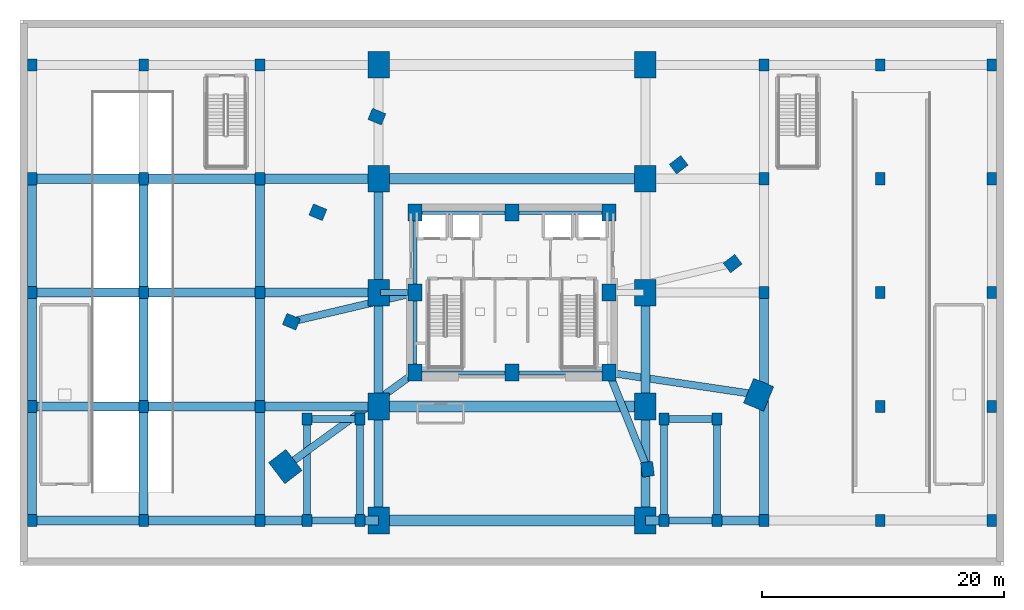
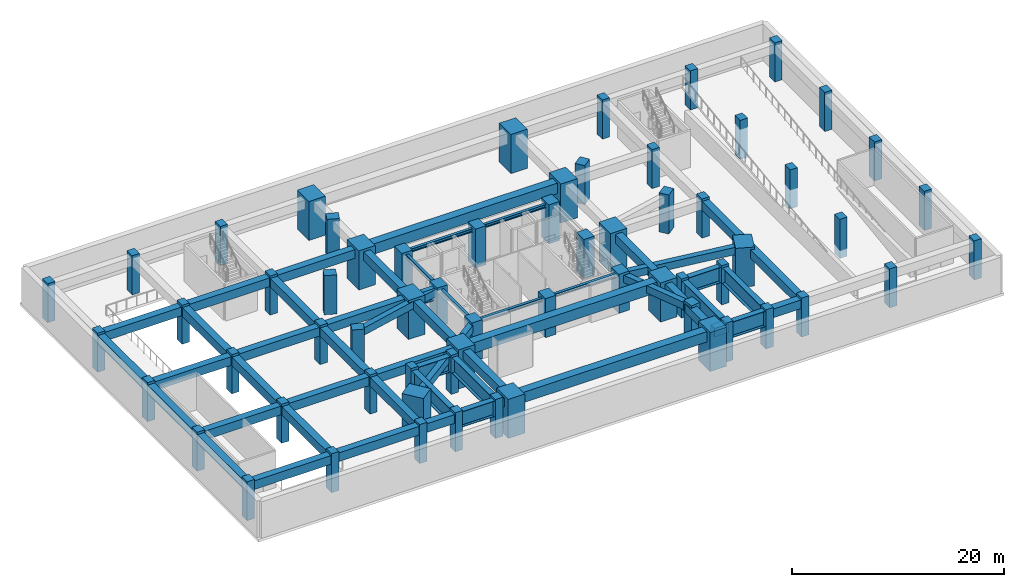
# One storey, part 1 of 9: 63 columns, 52 beams.
"""IFC4 building model written with IfcOpenShell, lengths in metres."""

from ifc_helpers import new_model, si_unit, direction, frame, origin, origin_2d, place, context, subcontext, project, spatial, rectangle, i_section, extrude, material, material_profile, profile_set, type_object, element, save


model = new_model("IFC4")

# Units and contexts
model_context = context("Model", 3, precision=1e-05, world=origin(), true_north=direction((0.0, 1.0)))
body_context = subcontext(model_context, "Body", "Model", "MODEL_VIEW")
ifc_project = project(units=[si_unit("LENGTHUNIT", "METRE"), si_unit("AREAUNIT", "SQUARE_METRE"), si_unit("VOLUMEUNIT", "CUBIC_METRE"), si_unit("PLANEANGLEUNIT", "RADIAN"), si_unit("MASSUNIT", "GRAM", prefix="KILO")], contexts=[model_context])

# Site, building, storey
site_placement = place(None, origin())
site = spatial("IfcSite", under=ifc_project, at=site_placement, CompositionType="ELEMENT")
building_placement = place(site_placement, origin())
building = spatial("IfcBuilding", under=site, at=building_placement, Name="Ndelora Gate Hotel", CompositionType="ELEMENT")
storey_placement = place(building_placement, frame((0.0, 0.0, -4.5)))
storey = spatial("IfcBuildingStorey", under=building, at=storey_placement, Name="B01", CompositionType="ELEMENT", Elevation=-4.5)

# Columns
ifc_material_1 = material(Name="Concrete C60/75", Category="concrete")
ifc_material_profile_1 = material_profile(ifc_material_1, rectangle(XDim=1.800048828125, YDim=2.199951171875, at=origin_2d()), Name="RC 2200x1800")
ifc_profile_set_1 = profile_set([ifc_material_profile_1], Name="Concrete C60/75")
column_type_1 = type_object("IfcColumnType", Name="COL-ARCH-PIER", PredefinedType="COLUMN", material=ifc_profile_set_1)
for number, where, z_axis, x_axis, name in (
    (1, (-11.0, -18.800048828125, 0.0), (0.0, 0.0, 1.0), (1.0, 0.0, 0.0), "B01 Podium Column PC-04-01"),
    (2, (-11.0, -9.39990234375, 0.0), (0.0, 0.0, 1.0), (1.0, 0.0, 0.0), "B01 Podium Column PC-04-02"),
    (3, (-11.0, 0.0, 0.0), (0.0, 0.0, 1.0), (1.0, 0.0, 0.0), "B01 Podium Column PC-04-03"),
    (4, (-11.0, 9.39990234375, 0.0), (0.0, 0.0, 1.0), (1.0, 0.0, 0.0), "B01 Podium Column PC-04-04"),
    (5, (-11.0, 18.800048828125, 0.0), (0.0, 0.0, 1.0), (1.0, 0.0, 0.0), "B01 Podium Column PC-04-05"),
    (6, (11.0, -18.800048828125, 0.0), (0.0, 0.0, 1.0), (1.0, 0.0, 0.0), "B01 Podium Column PC-05-01"),
    (7, (11.0, -9.39990234375, 0.0), (0.0, 0.0, 1.0), (1.0, 0.0, 0.0), "B01 Podium Column PC-05-02"),
    (8, (11.0, 0.0, 0.0), (0.0, 0.0, 1.0), (1.0, 0.0, 0.0), "B01 Podium Column PC-05-03"),
    (9, (11.0, 9.39990234375, 0.0), (0.0, 0.0, 1.0), (1.0, 0.0, 0.0), "B01 Podium Column PC-05-04"),
    (10, (11.0, 18.800048828125, 0.0), (0.0, 0.0, 1.0), (1.0, 0.0, 0.0), "B01 Podium Column PC-05-05"),
):
    element("IfcColumn", number, at=place(storey_placement, frame(where, z_axis=z_axis, x_axis=x_axis)), inside=storey, type_object=column_type_1, Name=name, PredefinedType="COLUMN", context=body_context, shape_type="SweptSolid", body=[
        extrude(rectangle(XDim=1.800048828125, YDim=2.199951171875, at=origin_2d()), origin(), (0.0, 0.0, 1.0), 4.5),
    ])
ifc_material_profile_2 = material_profile(ifc_material_1, rectangle(XDim=1.14990234375, YDim=1.39990234375, at=origin_2d()), Name="RC 1400x1150")
ifc_profile_set_2 = profile_set([ifc_material_profile_2], Name="Concrete C60/75")
column_type_2 = type_object("IfcColumnType", Name="COL-CC-LOW", PredefinedType="COLUMN", material=ifc_profile_set_2)
for number, where, z_axis, x_axis, name in (
    (11, (-8.0, -6.60009765625, 0.0), (0.0, 0.0, 1.0), (1.0, 0.0, 0.0), "B01 Core Column CC1"),
    (12, (0.0, -6.60009765625, 0.0), (0.0, 0.0, 1.0), (1.0, 0.0, 0.0), "B01 Core Column CC2"),
    (13, (8.0, -6.60009765625, 0.0), (0.0, 0.0, 1.0), (1.0, 0.0, 0.0), "B01 Core Column CC3"),
    (14, (8.0, 0.0, 0.0), (0.0, 0.0, 1.0), (1.0, 0.0, 0.0), "B01 Core Column CC4"),
    (15, (8.0, 6.60009765625, 0.0), (0.0, 0.0, 1.0), (1.0, 0.0, 0.0), "B01 Core Column CC5"),
    (16, (0.0, 6.60009765625, 0.0), (0.0, 0.0, 1.0), (1.0, 0.0, 0.0), "B01 Core Column CC6"),
    (17, (-8.0, 6.60009765625, 0.0), (0.0, 0.0, 1.0), (1.0, 0.0, 0.0), "B01 Core Column CC7"),
    (18, (-8.0, 0.0, 0.0), (0.0, 0.0, 1.0), (1.0, 0.0, 0.0), "B01 Core Column CC8"),
):
    element("IfcColumn", number, at=place(storey_placement, frame(where, z_axis=z_axis, x_axis=x_axis)), inside=storey, type_object=column_type_2, Name=name, PredefinedType="COLUMN", context=body_context, shape_type="SweptSolid", body=[
        extrude(rectangle(XDim=1.14990234375, YDim=1.39990234375, at=origin_2d()), origin(), (0.0, 0.0, 1.0), 4.5),
    ])
ifc_material_profile_3 = material_profile(ifc_material_1, rectangle(XDim=1.800048828125, YDim=2.199951171875, at=origin_2d()), Name="RC 2200x1800")
ifc_profile_set_3 = profile_set([ifc_material_profile_3], Name="Concrete C60/75")
column_type_3 = type_object("IfcColumnType", Name="COL-MC-Z1", PredefinedType="COLUMN", material=ifc_profile_set_3)
for number, where, z_axis, x_axis, name in (
    (19, (-18.701904296875, -14.3505859375, 0.0), (0.0, 0.0, 1.0), (0.793353340291, 0.608761429009, 0.0), "B01 Tower Plumb Root Column R5"),
    (20, (20.35009765625, -8.42919921875, 0.0), (0.0, 0.0, 1.0), (-0.923879532511, 0.382683432365, 0.0), "B01 Tower Plumb Root Column R9"),
):
    element("IfcColumn", number, at=place(storey_placement, frame(where, z_axis=z_axis, x_axis=x_axis)), inside=storey, type_object=column_type_3, Name=name, PredefinedType="COLUMN", context=body_context, shape_type="SweptSolid", body=[
        extrude(rectangle(XDim=1.800048828125, YDim=2.199951171875, at=origin_2d()), origin(), (0.0, 0.0, 1.0), 4.5),
    ])
ifc_material_2 = material(Name="Concrete C50/60", Category="concrete")
ifc_material_profile_4 = material_profile(ifc_material_2, rectangle(XDim=0.800048828125, YDim=1.0, at=origin_2d()), Name="RC 1000x800")
ifc_profile_set_4 = profile_set([ifc_material_profile_4], Name="Concrete C50/60")
column_type_4 = type_object("IfcColumnType", Name="COL-POD-BSM", PredefinedType="COLUMN", material=ifc_profile_set_4)
for number, where, z_axis, x_axis, name in (
    (21, (-39.60009765625, -18.800048828125, 0.0), (0.0, 0.0, 1.0), (1.0, 0.0, 0.0), "B01 Podium Column PC-01-01"),
    (22, (-39.60009765625, -9.39990234375, 0.0), (0.0, 0.0, 1.0), (1.0, 0.0, 0.0), "B01 Podium Column PC-01-02"),
    (23, (-39.60009765625, 0.0, 0.0), (0.0, 0.0, 1.0), (1.0, 0.0, 0.0), "B01 Podium Column PC-01-03"),
    (24, (-39.60009765625, 9.39990234375, 0.0), (0.0, 0.0, 1.0), (1.0, 0.0, 0.0), "B01 Podium Column PC-01-04"),
    (25, (-39.60009765625, 18.800048828125, 0.0), (0.0, 0.0, 1.0), (1.0, 0.0, 0.0), "B01 Podium Column PC-01-05"),
    (26, (-30.39990234375, -18.800048828125, 0.0), (0.0, 0.0, 1.0), (1.0, 0.0, 0.0), "B01 Podium Column PC-02-01"),
    (27, (-30.39990234375, -9.39990234375, 0.0), (0.0, 0.0, 1.0), (1.0, 0.0, 0.0), "B01 Podium Column PC-02-02"),
    (28, (-30.39990234375, 0.0, 0.0), (0.0, 0.0, 1.0), (1.0, 0.0, 0.0), "B01 Podium Column PC-02-03"),
    (29, (-30.39990234375, 9.39990234375, 0.0), (0.0, 0.0, 1.0), (1.0, 0.0, 0.0), "B01 Podium Column PC-02-04"),
    (30, (-30.39990234375, 18.800048828125, 0.0), (0.0, 0.0, 1.0), (1.0, 0.0, 0.0), "B01 Podium Column PC-02-05"),
    (31, (-20.800048828125, -18.800048828125, 0.0), (0.0, 0.0, 1.0), (1.0, 0.0, 0.0), "B01 Podium Column PC-03-01"),
    (32, (-20.800048828125, -9.39990234375, 0.0), (0.0, 0.0, 1.0), (1.0, 0.0, 0.0), "B01 Podium Column PC-03-02"),
    (33, (-20.800048828125, 0.0, 0.0), (0.0, 0.0, 1.0), (1.0, 0.0, 0.0), "B01 Podium Column PC-03-03"),
    (34, (-20.800048828125, 9.39990234375, 0.0), (0.0, 0.0, 1.0), (1.0, 0.0, 0.0), "B01 Podium Column PC-03-04"),
    (35, (-20.800048828125, 18.800048828125, 0.0), (0.0, 0.0, 1.0), (1.0, 0.0, 0.0), "B01 Podium Column PC-03-05"),
    (36, (20.800048828125, -18.800048828125, 0.0), (0.0, 0.0, 1.0), (1.0, 0.0, 0.0), "B01 Podium Column PC-06-01"),
    (37, (20.800048828125, 0.0, 0.0), (0.0, 0.0, 1.0), (1.0, 0.0, 0.0), "B01 Podium Column PC-06-03"),
    (38, (20.800048828125, 9.39990234375, 0.0), (0.0, 0.0, 1.0), (1.0, 0.0, 0.0), "B01 Podium Column PC-06-04"),
    (39, (20.800048828125, 18.800048828125, 0.0), (0.0, 0.0, 1.0), (1.0, 0.0, 0.0), "B01 Podium Column PC-06-05"),
    (40, (30.39990234375, -18.800048828125, 0.0), (0.0, 0.0, 1.0), (1.0, 0.0, 0.0), "B01 Podium Column PC-07-01"),
    (41, (30.39990234375, -9.39990234375, 0.0), (0.0, 0.0, 1.0), (1.0, 0.0, 0.0), "B01 Podium Column PC-07-02"),
    (42, (30.39990234375, 0.0, 0.0), (0.0, 0.0, 1.0), (1.0, 0.0, 0.0), "B01 Podium Column PC-07-03"),
    (43, (30.39990234375, 9.39990234375, 0.0), (0.0, 0.0, 1.0), (1.0, 0.0, 0.0), "B01 Podium Column PC-07-04"),
    (44, (30.39990234375, 18.800048828125, 0.0), (0.0, 0.0, 1.0), (1.0, 0.0, 0.0), "B01 Podium Column PC-07-05"),
    (45, (39.60009765625, -18.800048828125, 0.0), (0.0, 0.0, 1.0), (1.0, 0.0, 0.0), "B01 Podium Column PC-08-01"),
    (46, (39.60009765625, -9.39990234375, 0.0), (0.0, 0.0, 1.0), (1.0, 0.0, 0.0), "B01 Podium Column PC-08-02"),
    (47, (39.60009765625, 0.0, 0.0), (0.0, 0.0, 1.0), (1.0, 0.0, 0.0), "B01 Podium Column PC-08-03"),
    (48, (39.60009765625, 9.39990234375, 0.0), (0.0, 0.0, 1.0), (1.0, 0.0, 0.0), "B01 Podium Column PC-08-04"),
    (49, (39.60009765625, 18.800048828125, 0.0), (0.0, 0.0, 1.0), (1.0, 0.0, 0.0), "B01 Podium Column PC-08-05"),
    (50, (-16.919921875, -18.800048828125, 0.0), (0.0, 0.0, 1.0), (1.0, 0.0, 0.0), "B01 Stair ST3A Plumb Support Column 1"),
    (51, (-12.5400390625, -18.800048828125, 0.0), (0.0, 0.0, 1.0), (1.0, 0.0, 0.0), "B01 Stair ST3A Plumb Support Column 2"),
    (52, (-16.919921875, -10.429931640625, 0.0), (0.0, 0.0, 1.0), (1.0, 0.0, 0.0), "B01 Stair ST3A Plumb Support Column 3"),
    (53, (-12.5400390625, -10.429931640625, 0.0), (0.0, 0.0, 1.0), (1.0, 0.0, 0.0), "B01 Stair ST3A Plumb Support Column 4"),
    (54, (12.5400390625, -18.800048828125, 0.0), (0.0, 0.0, 1.0), (1.0, 0.0, 0.0), "B01 Stair ST3B Plumb Support Column 1"),
    (55, (16.919921875, -18.800048828125, 0.0), (0.0, 0.0, 1.0), (1.0, 0.0, 0.0), "B01 Stair ST3B Plumb Support Column 2"),
    (56, (12.5400390625, -10.429931640625, 0.0), (0.0, 0.0, 1.0), (1.0, 0.0, 0.0), "B01 Stair ST3B Plumb Support Column 3"),
    (57, (16.919921875, -10.429931640625, 0.0), (0.0, 0.0, 1.0), (1.0, 0.0, 0.0), "B01 Stair ST3B Plumb Support Column 4"),
):
    element("IfcColumn", number, at=place(storey_placement, frame(where, z_axis=z_axis, x_axis=x_axis)), inside=storey, type_object=column_type_4, Name=name, PredefinedType="COLUMN", context=body_context, shape_type="SweptSolid", body=[
        extrude(rectangle(XDim=0.800048828125, YDim=1.0, at=origin_2d()), origin(), (0.0, 0.0, 1.0), 4.5),
    ])
ifc_material_profile_5 = material_profile(ifc_material_1, rectangle(XDim=1.0, YDim=1.199951171875, at=origin_2d()), Name="RC 1200x1000")
ifc_profile_set_5 = profile_set([ifc_material_profile_5], Name="Concrete C60/75")
column_type_5 = type_object("IfcColumnType", Name="COL-PT-Z1", PredefinedType="COLUMN", material=ifc_profile_set_5)
for number, where, z_axis, x_axis, name in (
    (58, (-11.1484375, 14.529052734375, 0.0), (0.0, 0.0, 1.0), (0.382683432365, 0.923879532511, 0.0), "B01 Tower Plumb Root Column R2"),
    (59, (-16.016845703125, 6.634521484375, 0.0), (0.0, 0.0, 1.0), (0.382683432365, 0.923879532511, 0.0), "B01 Tower Plumb Root Column R3"),
    (60, (-18.207275390625, -2.39697265625, 0.0), (0.0, 0.0, 1.0), (0.382683432365, 0.923879532511, 0.0), "B01 Tower Plumb Root Column R4"),
    (61, (11.179443359375, -14.5693359375, 0.0), (0.0, 0.0, 1.0), (0.991444861374, 0.13052619222, 0.0), "B01 Tower Plumb Root Column R8"),
    (62, (18.207275390625, 2.39697265625, 0.0), (0.0, 0.0, 1.0), (-0.608761429009, 0.793353340291, 0.0), "B01 Tower Plumb Root Column R10"),
    (63, (13.75390625, 10.5537109375, 0.0), (0.0, 0.0, 1.0), (-0.608761429009, 0.793353340291, 0.0), "B01 Tower Plumb Root Column R11"),
):
    element("IfcColumn", number, at=place(storey_placement, frame(where, z_axis=z_axis, x_axis=x_axis)), inside=storey, type_object=column_type_5, Name=name, PredefinedType="COLUMN", context=body_context, shape_type="SweptSolid", body=[
        extrude(rectangle(XDim=1.0, YDim=1.199951171875, at=origin_2d()), origin(), (0.0, 0.0, 1.0), 4.5),
    ])

# Beams
ifc_material_3 = material(Name="Steel S355", Category="steel")
ifc_material_profile_6 = material_profile(ifc_material_3, i_section(OverallWidth=0.300048828125, OverallDepth=0.39990234375, WebThickness=0.013427734375, FlangeThickness=0.02392578125, FilletRadius=0.027099609375, at=origin_2d()), Name="HEB 400")
ifc_profile_set_6 = profile_set([ifc_material_profile_6], Name="Steel S355")
beam_type_1 = type_object("IfcBeamType", Name="BM-CORE-400", PredefinedType="BEAM", material=ifc_profile_set_6)
for number, where, z_axis, x_axis, name in (
    (64, (-8.0, 6.60009765625, 4.02001953125), (1.0, 0.0, 0.0), (0.0, 1.0, 0.0), "B01 Core Tie Girder CC7-CC6"),
    (65, (0.0, 6.60009765625, 4.02001953125), (1.0, 0.0, 0.0), (0.0, 1.0, 0.0), "B01 Core Tie Girder CC6-CC5"),
):
    element("IfcBeam", number, at=place(storey_placement, frame(where, z_axis=z_axis, x_axis=x_axis)), inside=storey, type_object=beam_type_1, Name=name, PredefinedType="BEAM", context=body_context, shape_type="SweptSolid", body=[
        extrude(i_section(OverallWidth=0.300048828125, OverallDepth=0.39990234375, WebThickness=0.013427734375, FlangeThickness=0.02392578125, FilletRadius=0.027099609375, at=origin_2d()), origin(), (0.0, 0.0, 1.0), 8.0),
    ])
for number, where, z_axis, x_axis, name in (
    (66, (-8.0, -6.60009765625, 4.02001953125), (0.0, 1.0, 0.0), (-1.0, 0.0, 0.0), "B01 Core Tie Girder CC1-CC8"),
    (67, (-8.0, 0.0, 4.02001953125), (0.0, 1.0, 0.0), (-1.0, 0.0, 0.0), "B01 Core Tie Girder CC8-CC7"),
):
    element("IfcBeam", number, at=place(storey_placement, frame(where, z_axis=z_axis, x_axis=x_axis)), inside=storey, type_object=beam_type_1, Name=name, PredefinedType="BEAM", context=body_context, shape_type="SweptSolid", body=[
        extrude(i_section(OverallWidth=0.300048828125, OverallDepth=0.39990234375, WebThickness=0.013427734375, FlangeThickness=0.02392578125, FilletRadius=0.027099609375, at=origin_2d()), origin(), (0.0, 0.0, 1.0), 6.60009765625),
    ])
for number, where, z_axis, x_axis, name in (
    (68, (-8.0, -6.60009765625, 4.02001953125), (1.0, 0.0, 0.0), (0.0, 1.0, 0.0), "B01 Core Tie Girder CC1-CC2"),
    (69, (0.0, -6.60009765625, 4.02001953125), (1.0, 0.0, 0.0), (0.0, 1.0, 0.0), "B01 Core Tie Girder CC2-CC3"),
):
    element("IfcBeam", number, at=place(storey_placement, frame(where, z_axis=z_axis, x_axis=x_axis)), inside=storey, type_object=beam_type_1, Name=name, PredefinedType="BEAM", context=body_context, shape_type="SweptSolid", body=[
        extrude(i_section(OverallWidth=0.300048828125, OverallDepth=0.39990234375, WebThickness=0.013427734375, FlangeThickness=0.02392578125, FilletRadius=0.027099609375, at=origin_2d()), origin(), (0.0, 0.0, 1.0), 8.0),
    ])
ifc_material_4 = material(Name="Concrete C40/50", Category="concrete")
ifc_material_profile_7 = material_profile(ifc_material_4, rectangle(XDim=0.60009765625, YDim=0.85009765625, at=origin_2d()), Name="RCB 600x850")
ifc_profile_set_7 = profile_set([ifc_material_profile_7], Name="Concrete C40/50")
beam_type_2 = type_object("IfcBeamType", Name="BM-RC-600x850", PredefinedType="BEAM", material=ifc_profile_set_7)
beam_1_placement = place(storey_placement, frame((-8.0, 0.0, 3.794921875), z_axis=(-0.973517848051, -0.22861102232, 0.0), x_axis=(0.22861102232, -0.973517848051, 0.0)))
element("IfcBeam", 70, at=beam_1_placement, inside=storey, type_object=beam_type_2, Name="B01 Tower Root Radial Tie Beam 4", PredefinedType="BEAM", context=body_context, shape_type="SweptSolid", body=[
    extrude(rectangle(XDim=0.60009765625, YDim=0.85009765625, at=origin_2d()), origin(), (0.0, 0.0, 1.0), 10.48486328125),
])
beam_2_placement = place(storey_placement, frame((-8.0, -6.60009765625, 3.794921875), z_axis=(-0.809912157619, -0.586551188679, 0.0), x_axis=(0.586551188679, -0.809912157619, 0.0)))
element("IfcBeam", 71, at=beam_2_placement, inside=storey, type_object=beam_type_2, Name="B01 Tower Root Radial Tie Beam 5", PredefinedType="BEAM", context=body_context, shape_type="SweptSolid", body=[
    extrude(rectangle(XDim=0.60009765625, YDim=0.85009765625, at=origin_2d()), origin(), (0.0, 0.0, 1.0), 13.213623046875),
])
beam_3_placement = place(storey_placement, frame((8.0, -6.60009765625, 3.794921875), z_axis=(0.37056142644, -0.92880796144, 0.0), x_axis=(0.92880796144, 0.37056142644, 0.0)))
element("IfcBeam", 72, at=beam_3_placement, inside=storey, type_object=beam_type_2, Name="B01 Tower Root Radial Tie Beam 8", PredefinedType="BEAM", context=body_context, shape_type="SweptSolid", body=[
    extrude(rectangle(XDim=0.60009765625, YDim=0.85009765625, at=origin_2d()), origin(), (0.0, 0.0, 1.0), 8.580078125),
])
beam_4_placement = place(storey_placement, frame((8.0, -6.60009765625, 3.794921875), z_axis=(0.989209761041, -0.146506138649, 0.0), x_axis=(0.146506138649, 0.989209761041, 0.0)))
element("IfcBeam", 73, at=beam_4_placement, inside=storey, type_object=beam_type_2, Name="B01 Tower Root Radial Tie Beam 9", PredefinedType="BEAM", context=body_context, shape_type="SweptSolid", body=[
    extrude(rectangle(XDim=0.60009765625, YDim=0.85009765625, at=origin_2d()), origin(), (0.0, 0.0, 1.0), 12.48486328125),
])
ifc_material_profile_8 = material_profile(ifc_material_2, rectangle(XDim=0.75, YDim=1.0, at=origin_2d()), Name="RCB 750x1000")
ifc_profile_set_8 = profile_set([ifc_material_profile_8], Name="Concrete C50/60")
beam_type_3 = type_object("IfcBeamType", Name="BM-RC-750x1000", PredefinedType="BEAM", material=ifc_profile_set_8)
beam_5_placement = place(storey_placement, frame((-39.60009765625, -18.800048828125, 3.719970703125), z_axis=(0.0, 1.0, 0.0), x_axis=(-1.0, 0.0, 0.0)))
element("IfcBeam", 74, at=beam_5_placement, inside=storey, type_object=beam_type_3, Name="B01 Podium Longitudinal Girder X=-39.6", PredefinedType="BEAM", context=body_context, shape_type="SweptSolid", body=[
    extrude(rectangle(XDim=0.75, YDim=1.0, at=origin_2d()), origin(), (0.0, 0.0, 1.0), 9.400146484375),
])
for number, where, z_axis, x_axis, name in (
    (75, (-39.60009765625, -9.39990234375, 3.719970703125), (0.0, 1.0, 0.0), (-1.0, 0.0, 0.0), "B01 Podium Longitudinal Girder X=-39.6"),
    (76, (-39.60009765625, 0.0, 3.719970703125), (0.0, 1.0, 0.0), (-1.0, 0.0, 0.0), "B01 Podium Longitudinal Girder X=-39.6"),
):
    element("IfcBeam", number, at=place(storey_placement, frame(where, z_axis=z_axis, x_axis=x_axis)), inside=storey, type_object=beam_type_3, Name=name, PredefinedType="BEAM", context=body_context, shape_type="SweptSolid", body=[
        extrude(rectangle(XDim=0.75, YDim=1.0, at=origin_2d()), origin(), (0.0, 0.0, 1.0), 9.39990234375),
    ])
beam_6_placement = place(storey_placement, frame((-30.39990234375, -18.800048828125, 3.719970703125), z_axis=(0.0, 1.0, 0.0), x_axis=(-1.0, 0.0, 0.0)))
element("IfcBeam", 77, at=beam_6_placement, inside=storey, type_object=beam_type_3, Name="B01 Podium Longitudinal Girder X=-30.4", PredefinedType="BEAM", context=body_context, shape_type="SweptSolid", body=[
    extrude(rectangle(XDim=0.75, YDim=1.0, at=origin_2d()), origin(), (0.0, 0.0, 1.0), 9.400146484375),
])
for number, where, z_axis, x_axis, name in (
    (78, (-30.39990234375, -9.39990234375, 3.719970703125), (0.0, 1.0, 0.0), (-1.0, 0.0, 0.0), "B01 Podium Longitudinal Girder X=-30.4"),
    (79, (-30.39990234375, 0.0, 3.719970703125), (0.0, 1.0, 0.0), (-1.0, 0.0, 0.0), "B01 Podium Longitudinal Girder X=-30.4"),
):
    element("IfcBeam", number, at=place(storey_placement, frame(where, z_axis=z_axis, x_axis=x_axis)), inside=storey, type_object=beam_type_3, Name=name, PredefinedType="BEAM", context=body_context, shape_type="SweptSolid", body=[
        extrude(rectangle(XDim=0.75, YDim=1.0, at=origin_2d()), origin(), (0.0, 0.0, 1.0), 9.39990234375),
    ])
beam_7_placement = place(storey_placement, frame((-20.800048828125, -18.800048828125, 3.719970703125), z_axis=(0.0, 1.0, 0.0), x_axis=(-1.0, 0.0, 0.0)))
element("IfcBeam", 80, at=beam_7_placement, inside=storey, type_object=beam_type_3, Name="B01 Podium Longitudinal Girder X=-20.8", PredefinedType="BEAM", context=body_context, shape_type="SweptSolid", body=[
    extrude(rectangle(XDim=0.75, YDim=1.0, at=origin_2d()), origin(), (0.0, 0.0, 1.0), 9.400146484375),
])
for number, where, z_axis, x_axis, name in (
    (81, (-20.800048828125, -9.39990234375, 3.719970703125), (0.0, 1.0, 0.0), (-1.0, 0.0, 0.0), "B01 Podium Longitudinal Girder X=-20.8"),
    (82, (-20.800048828125, 0.0, 3.719970703125), (0.0, 1.0, 0.0), (-1.0, 0.0, 0.0), "B01 Podium Longitudinal Girder X=-20.8"),
):
    element("IfcBeam", number, at=place(storey_placement, frame(where, z_axis=z_axis, x_axis=x_axis)), inside=storey, type_object=beam_type_3, Name=name, PredefinedType="BEAM", context=body_context, shape_type="SweptSolid", body=[
        extrude(rectangle(XDim=0.75, YDim=1.0, at=origin_2d()), origin(), (0.0, 0.0, 1.0), 9.39990234375),
    ])
beam_8_placement = place(storey_placement, frame((-11.0, -18.800048828125, 3.719970703125), z_axis=(0.0, 1.0, 0.0), x_axis=(-1.0, 0.0, 0.0)))
element("IfcBeam", 83, at=beam_8_placement, inside=storey, type_object=beam_type_3, Name="B01 Podium Longitudinal Girder X=-11.0", PredefinedType="BEAM", context=body_context, shape_type="SweptSolid", body=[
    extrude(rectangle(XDim=0.75, YDim=1.0, at=origin_2d()), origin(), (0.0, 0.0, 1.0), 9.400146484375),
])
for number, where, z_axis, x_axis, name in (
    (84, (-11.0, -9.39990234375, 3.719970703125), (0.0, 1.0, 0.0), (-1.0, 0.0, 0.0), "B01 Podium Longitudinal Girder X=-11.0"),
    (85, (-11.0, 0.0, 3.719970703125), (0.0, 1.0, 0.0), (-1.0, 0.0, 0.0), "B01 Podium Longitudinal Girder X=-11.0"),
):
    element("IfcBeam", number, at=place(storey_placement, frame(where, z_axis=z_axis, x_axis=x_axis)), inside=storey, type_object=beam_type_3, Name=name, PredefinedType="BEAM", context=body_context, shape_type="SweptSolid", body=[
        extrude(rectangle(XDim=0.75, YDim=1.0, at=origin_2d()), origin(), (0.0, 0.0, 1.0), 9.39990234375),
    ])
beam_9_placement = place(storey_placement, frame((11.0, -18.800048828125, 3.719970703125), z_axis=(0.0, 1.0, 0.0), x_axis=(-1.0, 0.0, 0.0)))
element("IfcBeam", 86, at=beam_9_placement, inside=storey, type_object=beam_type_3, Name="B01 Podium Longitudinal Girder X=+11.0", PredefinedType="BEAM", context=body_context, shape_type="SweptSolid", body=[
    extrude(rectangle(XDim=0.75, YDim=1.0, at=origin_2d()), origin(), (0.0, 0.0, 1.0), 9.400146484375),
])
beam_10_placement = place(storey_placement, frame((11.0, -9.39990234375, 3.719970703125), z_axis=(0.0, 1.0, 0.0), x_axis=(-1.0, 0.0, 0.0)))
element("IfcBeam", 87, at=beam_10_placement, inside=storey, type_object=beam_type_3, Name="B01 Podium Longitudinal Girder X=+11.0", PredefinedType="BEAM", context=body_context, shape_type="SweptSolid", body=[
    extrude(rectangle(XDim=0.75, YDim=1.0, at=origin_2d()), origin(), (0.0, 0.0, 1.0), 9.39990234375),
])
beam_11_placement = place(storey_placement, frame((20.800048828125, -18.800048828125, 3.719970703125), z_axis=(0.0, 1.0, 0.0), x_axis=(-1.0, 0.0, 0.0)))
element("IfcBeam", 88, at=beam_11_placement, inside=storey, type_object=beam_type_3, Name="B01 Podium Longitudinal Girder X=+20.8", PredefinedType="BEAM", context=body_context, shape_type="SweptSolid", body=[
    extrude(rectangle(XDim=0.75, YDim=1.0, at=origin_2d()), origin(), (0.0, 0.0, 1.0), 18.800048828125),
])
beam_12_placement = place(storey_placement, frame((-39.60009765625, -18.800048828125, 3.719970703125), z_axis=(1.0, 0.0, 0.0), x_axis=(0.0, 1.0, 0.0)))
element("IfcBeam", 89, at=beam_12_placement, inside=storey, type_object=beam_type_3, Name="B01 Podium Transverse Girder Y=-18.8", PredefinedType="BEAM", context=body_context, shape_type="SweptSolid", body=[
    extrude(rectangle(XDim=0.75, YDim=1.0, at=origin_2d()), origin(), (0.0, 0.0, 1.0), 9.2001953125),
])
beam_13_placement = place(storey_placement, frame((-30.39990234375, -18.800048828125, 3.719970703125), z_axis=(1.0, 0.0, 0.0), x_axis=(0.0, 1.0, 0.0)))
element("IfcBeam", 90, at=beam_13_placement, inside=storey, type_object=beam_type_3, Name="B01 Podium Transverse Girder Y=-18.8", PredefinedType="BEAM", context=body_context, shape_type="SweptSolid", body=[
    extrude(rectangle(XDim=0.75, YDim=1.0, at=origin_2d()), origin(), (0.0, 0.0, 1.0), 9.599853515625),
])
beam_14_placement = place(storey_placement, frame((-20.800048828125, -18.800048828125, 3.719970703125), z_axis=(1.0, 0.0, 0.0), x_axis=(0.0, 1.0, 0.0)))
element("IfcBeam", 91, at=beam_14_placement, inside=storey, type_object=beam_type_3, Name="B01 Podium Transverse Girder Y=-18.8", PredefinedType="BEAM", context=body_context, shape_type="SweptSolid", body=[
    extrude(rectangle(XDim=0.75, YDim=1.0, at=origin_2d()), origin(), (0.0, 0.0, 1.0), 3.880126953125),
])
for number, where, z_axis, x_axis, name in (
    (92, (-12.5400390625, -18.800048828125, 3.719970703125), (1.0, 0.0, 0.0), (0.0, 1.0, 0.0), "B01 Podium Transverse Girder Y=-18.8"),
    (93, (11.0, -18.800048828125, 3.719970703125), (1.0, 0.0, 0.0), (0.0, 1.0, 0.0), "B01 Podium Transverse Girder Y=-18.8"),
):
    element("IfcBeam", number, at=place(storey_placement, frame(where, z_axis=z_axis, x_axis=x_axis)), inside=storey, type_object=beam_type_3, Name=name, PredefinedType="BEAM", context=body_context, shape_type="SweptSolid", body=[
        extrude(rectangle(XDim=0.75, YDim=1.0, at=origin_2d()), origin(), (0.0, 0.0, 1.0), 1.5400390625),
    ])
beam_15_placement = place(storey_placement, frame((16.919921875, -18.800048828125, 3.719970703125), z_axis=(1.0, 0.0, 0.0), x_axis=(0.0, 1.0, 0.0)))
element("IfcBeam", 94, at=beam_15_placement, inside=storey, type_object=beam_type_3, Name="B01 Podium Transverse Girder Y=-18.8", PredefinedType="BEAM", context=body_context, shape_type="SweptSolid", body=[
    extrude(rectangle(XDim=0.75, YDim=1.0, at=origin_2d()), origin(), (0.0, 0.0, 1.0), 3.880126953125),
])
beam_16_placement = place(storey_placement, frame((-39.60009765625, -9.39990234375, 3.719970703125), z_axis=(1.0, 0.0, 0.0), x_axis=(0.0, 1.0, 0.0)))
element("IfcBeam", 95, at=beam_16_placement, inside=storey, type_object=beam_type_3, Name="B01 Podium Transverse Girder Y=-9.4", PredefinedType="BEAM", context=body_context, shape_type="SweptSolid", body=[
    extrude(rectangle(XDim=0.75, YDim=1.0, at=origin_2d()), origin(), (0.0, 0.0, 1.0), 9.2001953125),
])
beam_17_placement = place(storey_placement, frame((-30.39990234375, -9.39990234375, 3.719970703125), z_axis=(1.0, 0.0, 0.0), x_axis=(0.0, 1.0, 0.0)))
element("IfcBeam", 96, at=beam_17_placement, inside=storey, type_object=beam_type_3, Name="B01 Podium Transverse Girder Y=-9.4", PredefinedType="BEAM", context=body_context, shape_type="SweptSolid", body=[
    extrude(rectangle(XDim=0.75, YDim=1.0, at=origin_2d()), origin(), (0.0, 0.0, 1.0), 9.599853515625),
])
beam_18_placement = place(storey_placement, frame((-20.800048828125, -9.39990234375, 3.719970703125), z_axis=(1.0, 0.0, 0.0), x_axis=(0.0, 1.0, 0.0)))
element("IfcBeam", 97, at=beam_18_placement, inside=storey, type_object=beam_type_3, Name="B01 Podium Transverse Girder Y=-9.4", PredefinedType="BEAM", context=body_context, shape_type="SweptSolid", body=[
    extrude(rectangle(XDim=0.75, YDim=1.0, at=origin_2d()), origin(), (0.0, 0.0, 1.0), 9.800048828125),
])
beam_19_placement = place(storey_placement, frame((-39.60009765625, 0.0, 3.719970703125), z_axis=(1.0, 0.0, 0.0), x_axis=(0.0, 1.0, 0.0)))
element("IfcBeam", 98, at=beam_19_placement, inside=storey, type_object=beam_type_3, Name="B01 Podium Transverse Girder Y=+0.0", PredefinedType="BEAM", context=body_context, shape_type="SweptSolid", body=[
    extrude(rectangle(XDim=0.75, YDim=1.0, at=origin_2d()), origin(), (0.0, 0.0, 1.0), 9.2001953125),
])
beam_20_placement = place(storey_placement, frame((-30.39990234375, 0.0, 3.719970703125), z_axis=(1.0, 0.0, 0.0), x_axis=(0.0, 1.0, 0.0)))
element("IfcBeam", 99, at=beam_20_placement, inside=storey, type_object=beam_type_3, Name="B01 Podium Transverse Girder Y=+0.0", PredefinedType="BEAM", context=body_context, shape_type="SweptSolid", body=[
    extrude(rectangle(XDim=0.75, YDim=1.0, at=origin_2d()), origin(), (0.0, 0.0, 1.0), 9.599853515625),
])
beam_21_placement = place(storey_placement, frame((-20.800048828125, 0.0, 3.719970703125), z_axis=(1.0, 0.0, 0.0), x_axis=(0.0, 1.0, 0.0)))
element("IfcBeam", 100, at=beam_21_placement, inside=storey, type_object=beam_type_3, Name="B01 Podium Transverse Girder Y=+0.0", PredefinedType="BEAM", context=body_context, shape_type="SweptSolid", body=[
    extrude(rectangle(XDim=0.75, YDim=1.0, at=origin_2d()), origin(), (0.0, 0.0, 1.0), 9.800048828125),
])
beam_22_placement = place(storey_placement, frame((-39.60009765625, 9.39990234375, 3.719970703125), z_axis=(1.0, 0.0, 0.0), x_axis=(0.0, 1.0, 0.0)))
element("IfcBeam", 101, at=beam_22_placement, inside=storey, type_object=beam_type_3, Name="B01 Podium Transverse Girder Y=+9.4", PredefinedType="BEAM", context=body_context, shape_type="SweptSolid", body=[
    extrude(rectangle(XDim=0.75, YDim=1.0, at=origin_2d()), origin(), (0.0, 0.0, 1.0), 9.2001953125),
])
beam_23_placement = place(storey_placement, frame((-30.39990234375, 9.39990234375, 3.719970703125), z_axis=(1.0, 0.0, 0.0), x_axis=(0.0, 1.0, 0.0)))
element("IfcBeam", 102, at=beam_23_placement, inside=storey, type_object=beam_type_3, Name="B01 Podium Transverse Girder Y=+9.4", PredefinedType="BEAM", context=body_context, shape_type="SweptSolid", body=[
    extrude(rectangle(XDim=0.75, YDim=1.0, at=origin_2d()), origin(), (0.0, 0.0, 1.0), 9.599853515625),
])
beam_24_placement = place(storey_placement, frame((-20.800048828125, 9.39990234375, 3.719970703125), z_axis=(1.0, 0.0, 0.0), x_axis=(0.0, 1.0, 0.0)))
element("IfcBeam", 103, at=beam_24_placement, inside=storey, type_object=beam_type_3, Name="B01 Podium Transverse Girder Y=+9.4", PredefinedType="BEAM", context=body_context, shape_type="SweptSolid", body=[
    extrude(rectangle(XDim=0.75, YDim=1.0, at=origin_2d()), origin(), (0.0, 0.0, 1.0), 9.800048828125),
])
ifc_material_profile_9 = material_profile(ifc_material_2, rectangle(XDim=0.89990234375, YDim=1.199951171875, at=origin_2d()), Name="RCB 900x1200")
ifc_profile_set_9 = profile_set([ifc_material_profile_9], Name="Concrete C50/60")
beam_type_4 = type_object("IfcBeamType", Name="BM-RC-900x1200", PredefinedType="BEAM", material=ifc_profile_set_9)
for number, where, z_axis, x_axis, name in (
    (104, (-11.0, -18.800048828125, 3.6201171875), (1.0, 0.0, 0.0), (0.0, 1.0, 0.0), "B01 structural beam RCB-1"),
    (105, (-11.0, -9.39990234375, 3.6201171875), (1.0, 0.0, 0.0), (0.0, 1.0, 0.0), "B01 structural beam RCB-1"),
    (106, (-11.0, 9.39990234375, 3.6201171875), (1.0, 0.0, 0.0), (0.0, 1.0, 0.0), "B01 structural beam RCB-1"),
):
    element("IfcBeam", number, at=place(storey_placement, frame(where, z_axis=z_axis, x_axis=x_axis)), inside=storey, type_object=beam_type_4, Name=name, PredefinedType="BEAM", context=body_context, shape_type="SweptSolid", body=[
        extrude(rectangle(XDim=0.89990234375, YDim=1.199951171875, at=origin_2d()), origin(), (0.0, 0.0, 1.0), 22.0),
    ])
ifc_material_5 = material(Name="Steel S460", Category="steel")
ifc_material_profile_10 = material_profile(ifc_material_5, i_section(OverallWidth=0.5, OverallDepth=1.39990234375, WebThickness=0.02392578125, FlangeThickness=0.035888671875, FilletRadius=0.02197265625, at=origin_2d()), Name="PG 1400x500x36")
ifc_profile_set_10 = profile_set([ifc_material_profile_10], Name="Steel S460")
beam_type_5 = type_object("IfcBeamType", Name="BM-TR-1400", PredefinedType="BEAM", material=ifc_profile_set_10)
beam_25_placement = place(storey_placement, frame((-10.85009765625, 0.0, 3.52001953125), z_axis=(1.0, 0.0, 0.0), x_axis=(0.0, 1.0, 0.0)))
element("IfcBeam", 107, at=beam_25_placement, inside=storey, type_object=beam_type_5, Name="B01 structural beam TG-3", PredefinedType="BEAM", context=body_context, shape_type="SweptSolid", body=[
    extrude(i_section(OverallWidth=0.5, OverallDepth=1.39990234375, WebThickness=0.02392578125, FlangeThickness=0.035888671875, FilletRadius=0.02197265625, at=origin_2d()), origin(), (0.0, 0.0, 1.0), 2.35009765625),
])
ifc_material_profile_11 = material_profile(ifc_material_5, i_section(OverallWidth=0.60009765625, OverallDepth=1.800048828125, WebThickness=0.028076171875, FlangeThickness=0.0400390625, FilletRadius=0.02392578125, at=origin_2d()), Name="PG 1800x600x40")
ifc_profile_set_11 = profile_set([ifc_material_profile_11], Name="Steel S460")
beam_type_6 = type_object("IfcBeamType", Name="BM-TR-1800", PredefinedType="BEAM", material=ifc_profile_set_11)
for number, where, z_axis, x_axis, name in (
    (108, (-16.919921875, -18.800048828125, 3.320068359375), (1.0, 0.0, 0.0), (0.0, 1.0, 0.0), "B01 Stair South Bearing Girder"),
    (109, (12.5400390625, -18.800048828125, 3.320068359375), (1.0, 0.0, 0.0), (0.0, 1.0, 0.0), "B01 Stair South Bearing Girder"),
    (110, (-16.919921875, -10.429931640625, 3.320068359375), (1.0, 0.0, 0.0), (0.0, 1.0, 0.0), "B01 Stair ST3A North Bearing Girder"),
):
    element("IfcBeam", number, at=place(storey_placement, frame(where, z_axis=z_axis, x_axis=x_axis)), inside=storey, type_object=beam_type_6, Name=name, PredefinedType="BEAM", context=body_context, shape_type="SweptSolid", body=[
        extrude(i_section(OverallWidth=0.60009765625, OverallDepth=1.800048828125, WebThickness=0.028076171875, FlangeThickness=0.0400390625, FilletRadius=0.02392578125, at=origin_2d()), origin(), (0.0, 0.0, 1.0), 4.3798828125),
    ])
for number, where, z_axis, x_axis, name in (
    (111, (-16.919921875, -18.5, 3.320068359375), (0.0, 1.0, 0.0), (-1.0, 0.0, 0.0), "B01 Stair ST3A West Bearing Girder"),
    (112, (-12.5400390625, -18.5, 3.320068359375), (0.0, 1.0, 0.0), (-1.0, 0.0, 0.0), "B01 Stair ST3A East Bearing Girder"),
):
    element("IfcBeam", number, at=place(storey_placement, frame(where, z_axis=z_axis, x_axis=x_axis)), inside=storey, type_object=beam_type_6, Name=name, PredefinedType="BEAM", context=body_context, shape_type="SweptSolid", body=[
        extrude(i_section(OverallWidth=0.60009765625, OverallDepth=1.800048828125, WebThickness=0.028076171875, FlangeThickness=0.0400390625, FilletRadius=0.02392578125, at=origin_2d()), origin(), (0.0, 0.0, 1.0), 7.77001953125),
    ])
beam_26_placement = place(storey_placement, frame((12.5400390625, -10.429931640625, 3.320068359375), z_axis=(1.0, 0.0, 0.0), x_axis=(0.0, 1.0, 0.0)))
element("IfcBeam", 113, at=beam_26_placement, inside=storey, type_object=beam_type_6, Name="B01 Stair ST3B North Bearing Girder", PredefinedType="BEAM", context=body_context, shape_type="SweptSolid", body=[
    extrude(i_section(OverallWidth=0.60009765625, OverallDepth=1.800048828125, WebThickness=0.028076171875, FlangeThickness=0.0400390625, FilletRadius=0.02392578125, at=origin_2d()), origin(), (0.0, 0.0, 1.0), 4.3798828125),
])
for number, where, z_axis, x_axis, name in (
    (114, (12.5400390625, -18.5, 3.320068359375), (0.0, 1.0, 0.0), (-1.0, 0.0, 0.0), "B01 Stair ST3B West Bearing Girder"),
    (115, (16.919921875, -18.5, 3.320068359375), (0.0, 1.0, 0.0), (-1.0, 0.0, 0.0), "B01 Stair ST3B East Bearing Girder"),
):
    element("IfcBeam", number, at=place(storey_placement, frame(where, z_axis=z_axis, x_axis=x_axis)), inside=storey, type_object=beam_type_6, Name=name, PredefinedType="BEAM", context=body_context, shape_type="SweptSolid", body=[
        extrude(i_section(OverallWidth=0.60009765625, OverallDepth=1.800048828125, WebThickness=0.028076171875, FlangeThickness=0.0400390625, FilletRadius=0.02392578125, at=origin_2d()), origin(), (0.0, 0.0, 1.0), 7.77001953125),
    ])

save(model, "model.ifc")
